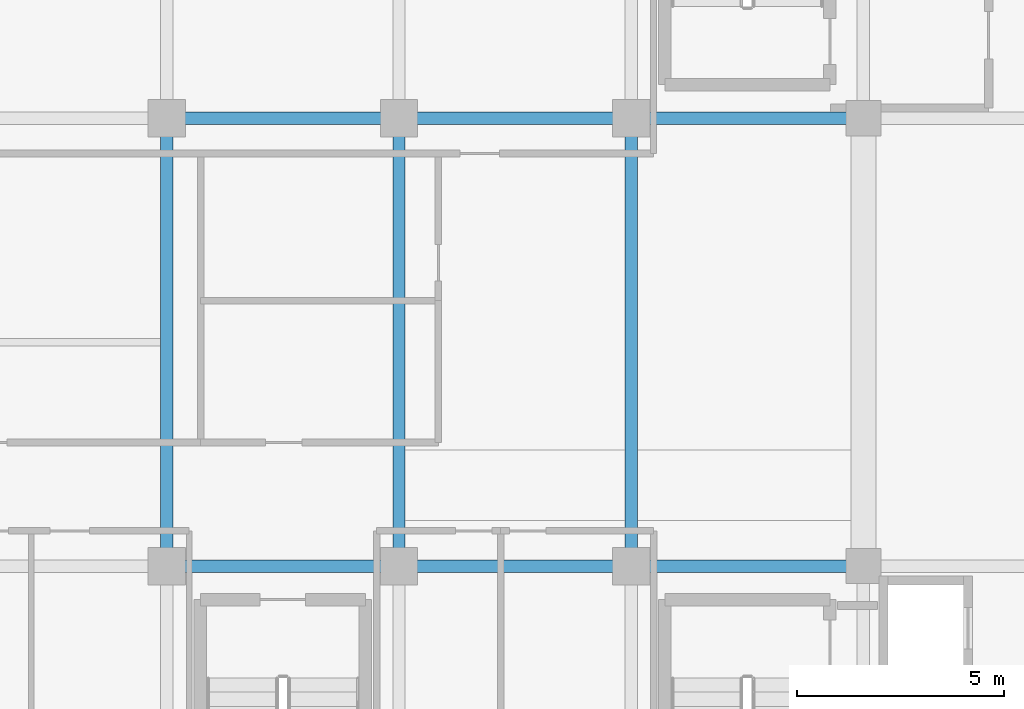
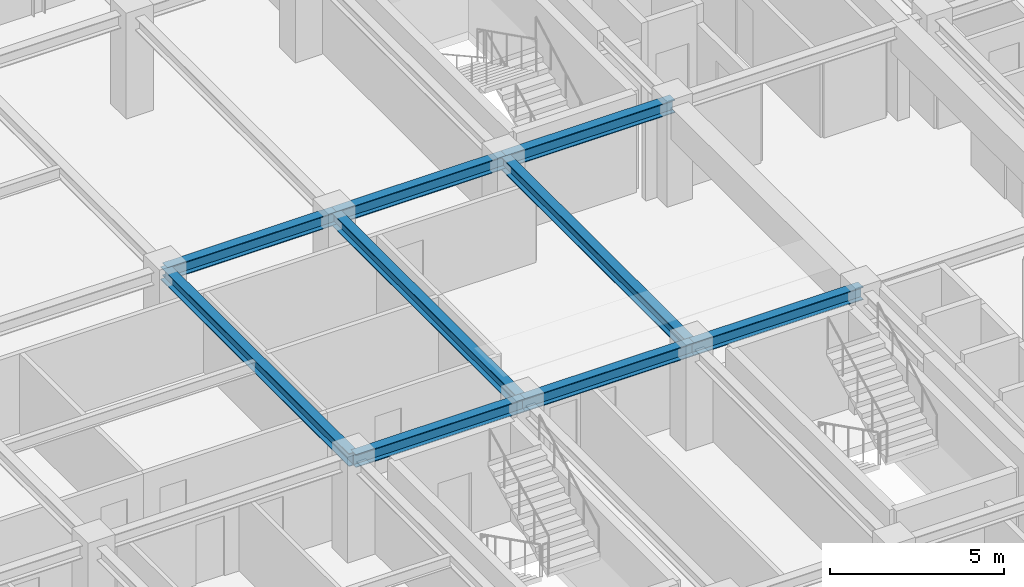
# One storey, part 11 of 36: 9 beams.
"""IFC4 building model written with IfcOpenShell, lengths in metres."""

from ifc_helpers import new_model, si_unit, direction, frame, origin, origin_2d, place, context, subcontext, project, spatial, i_section, extrude, source, transform, mapped, material, material_profile, profile_set, type_object, element, save


model = new_model("IFC4")

# Units and contexts
model_context = context("Model", 3, precision=1e-05, world=origin(), true_north=direction((0.0, 1.0)))
body_context = subcontext(model_context, "Body", "Model", "MODEL_VIEW")
ifc_project = project(units=[si_unit("LENGTHUNIT", "METRE"), si_unit("AREAUNIT", "SQUARE_METRE"), si_unit("VOLUMEUNIT", "CUBIC_METRE"), si_unit("PLANEANGLEUNIT", "RADIAN"), si_unit("MASSUNIT", "GRAM", prefix="KILO")], contexts=[model_context])

# Site, building, storey
site_placement = place(None, origin())
site = spatial("IfcSite", under=ifc_project, at=site_placement, CompositionType="ELEMENT")
building_placement = place(site_placement, origin())
building = spatial("IfcBuilding", under=site, at=building_placement, Name="Nahalor Promenade Grand Hotel", CompositionType="ELEMENT")
storey_placement = place(building_placement, frame((0.0, 0.0, 273.800048828125)))
storey = spatial("IfcBuildingStorey", under=building, at=storey_placement, Name="L70", CompositionType="ELEMENT", Elevation=273.800048828125)

# Beams
ifc_material = material(Name="Steel S355JR", Category="steel")
ifc_material_profile = material_profile(ifc_material, i_section(OverallWidth=0.3, OverallDepth=0.45, WebThickness=0.014, FlangeThickness=0.026, at=origin_2d()), Name="HEB 450")
ifc_profile_set = profile_set([ifc_material_profile], Name="Steel S355JR")
beam_type = type_object("IfcBeamType", Name="Beam-Girder-HEB450", PredefinedType="BEAM", material=ifc_profile_set)
shared_shape_1 = source(origin(), body_context, "Body", "SweptSolid", [
    extrude(i_section(OverallWidth=0.3, OverallDepth=0.45, WebThickness=0.014, FlangeThickness=0.026, at=origin_2d()), origin(), (0.0, 0.0, 1.0), 5.599853515625),
])
for number, where, z_axis, x_axis, name in (
    (1, (-8.39990234375, -5.39990234375, 3.224853515625), (1.0, 0.0, 0.0), (0.0, 1.0, 0.0), "BM-L70-GX-1-2"),
    (2, (2.800048828125, -5.39990234375, 3.224853515625), (1.0, 0.0, 0.0), (0.0, 1.0, 0.0), "BM-L70-GX-1-4"),
    (3, (-8.39990234375, 5.39990234375, 3.224853515625), (1.0, 0.0, 0.0), (0.0, 1.0, 0.0), "BM-L70-GX-2-2"),
    (4, (2.800048828125, 5.39990234375, 3.224853515625), (1.0, 0.0, 0.0), (0.0, 1.0, 0.0), "BM-L70-GX-2-4"),
):
    element("IfcBeam", number, at=place(storey_placement, frame(where, z_axis=z_axis, x_axis=x_axis)), inside=storey, type_object=beam_type, Name=name, PredefinedType="BEAM", context=body_context, shape_type="MappedRepresentation", body=[
        mapped(shared_shape_1, transform((0.0, 0.0, 0.0), scale=1.0)),
    ])
shared_shape_2 = source(origin(), body_context, "Body", "SweptSolid", [
    extrude(i_section(OverallWidth=0.3, OverallDepth=0.45, WebThickness=0.014, FlangeThickness=0.026, at=origin_2d()), origin(), (0.0, 0.0, 1.0), 5.60009765625),
])
for number, where, z_axis, x_axis, name in (
    (5, (-2.800048828125, -5.39990234375, 3.224853515625), (1.0, 0.0, 0.0), (0.0, 1.0, 0.0), "BM-L70-GX-1-3"),
    (6, (-2.800048828125, 5.39990234375, 3.224853515625), (1.0, 0.0, 0.0), (0.0, 1.0, 0.0), "BM-L70-GX-2-3"),
):
    element("IfcBeam", number, at=place(storey_placement, frame(where, z_axis=z_axis, x_axis=x_axis)), inside=storey, type_object=beam_type, Name=name, PredefinedType="BEAM", context=body_context, shape_type="MappedRepresentation", body=[
        mapped(shared_shape_2, transform((0.0, 0.0, 0.0), scale=1.0)),
    ])
shared_shape_3 = source(origin(), body_context, "Body", "SweptSolid", [
    extrude(i_section(OverallWidth=0.3, OverallDepth=0.45, WebThickness=0.014, FlangeThickness=0.026, at=origin_2d()), origin(), (0.0, 0.0, 1.0), 10.7998046875),
])
for number, where, z_axis, x_axis, name in (
    (7, (-8.39990234375, -5.39990234375, 3.224853515625), (0.0, 1.0, 0.0), (-1.0, 0.0, 0.0), "BM-L70-GY-1-2"),
    (8, (-2.800048828125, -5.39990234375, 3.224853515625), (0.0, 1.0, 0.0), (-1.0, 0.0, 0.0), "BM-L70-GY-2-2"),
    (9, (2.800048828125, -5.39990234375, 3.224853515625), (0.0, 1.0, 0.0), (-1.0, 0.0, 0.0), "BM-L70-GY-3-2"),
):
    element("IfcBeam", number, at=place(storey_placement, frame(where, z_axis=z_axis, x_axis=x_axis)), inside=storey, type_object=beam_type, Name=name, PredefinedType="BEAM", context=body_context, shape_type="MappedRepresentation", body=[
        mapped(shared_shape_3, transform((0.0, 0.0, 0.0), scale=1.0)),
    ])

save(model, "model.ifc")
